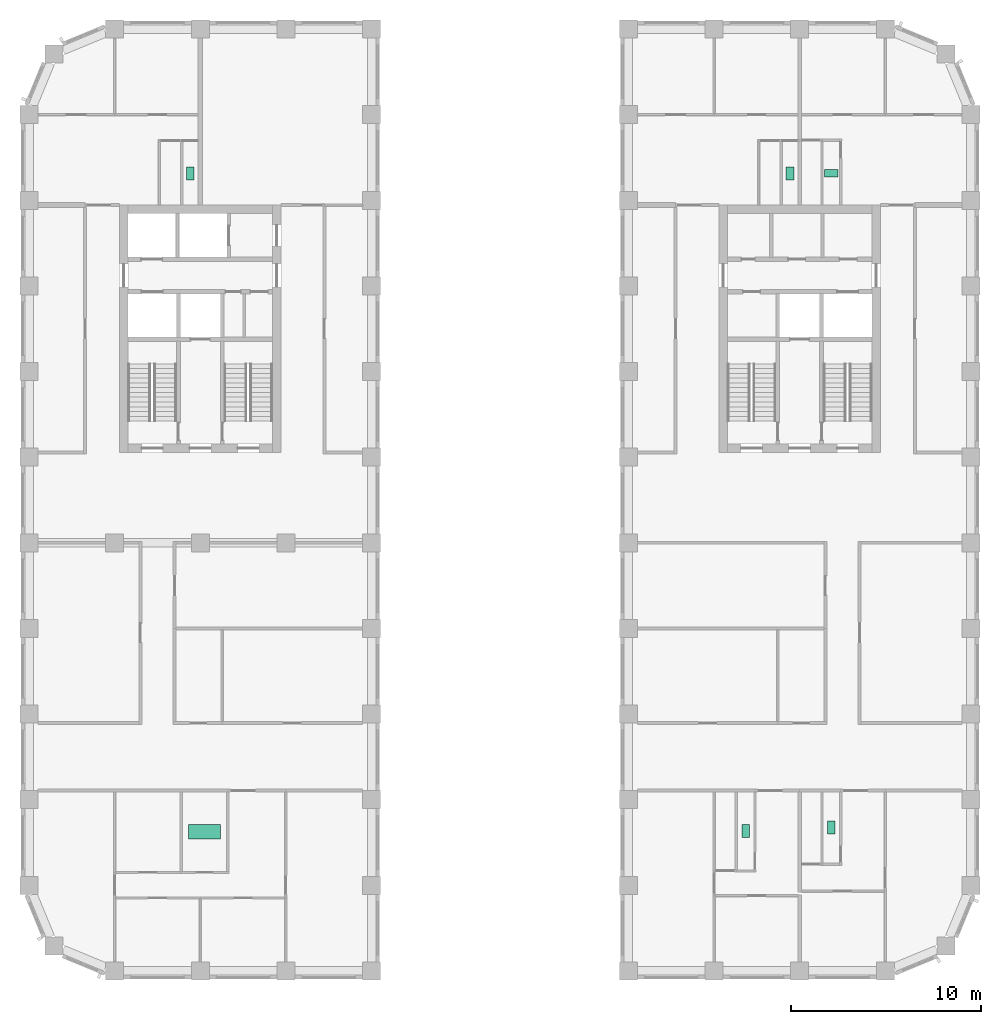
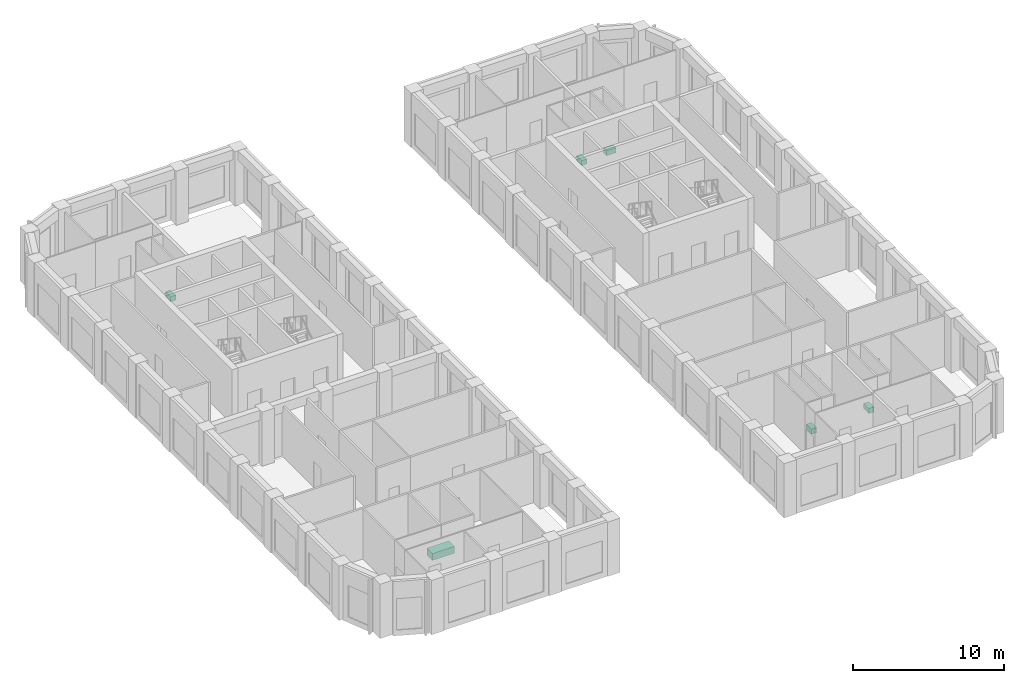
# One storey, part 12 of 12: 6 sanitary terminals.
"""IFC4 building model written with IfcOpenShell, lengths in metres."""

from ifc_helpers import new_model, si_unit, direction, frame, origin, origin_2d, place, context, subcontext, project, spatial, rectangle, extrude, material, type_object, element, save


model = new_model("IFC4")

# Units and contexts
model_context = context("Model", 3, precision=1e-05, world=origin(), true_north=direction((0.0, 1.0)))
body_context = subcontext(model_context, "Body", "Model", "MODEL_VIEW")
ifc_project = project(units=[si_unit("LENGTHUNIT", "METRE"), si_unit("AREAUNIT", "SQUARE_METRE"), si_unit("VOLUMEUNIT", "CUBIC_METRE"), si_unit("PLANEANGLEUNIT", "RADIAN"), si_unit("MASSUNIT", "GRAM", prefix="KILO")], contexts=[model_context])

# Site, building, storey
site_placement = place(None, origin())
site = spatial("IfcSite", under=ifc_project, at=site_placement, CompositionType="ELEMENT")
building_placement = place(site_placement, origin())
building = spatial("IfcBuilding", under=site, at=building_placement, Name="Girih Gate Residences", CompositionType="ELEMENT")
storey_placement = place(building_placement, frame((0.0, 0.0, 155.0)))
storey = spatial("IfcBuildingStorey", under=building, at=storey_placement, Name="L43", CompositionType="ELEMENT", Elevation=155.0)

# Sanitary terminals
ifc_material_1 = material(Name="Acrylic")
sanitary_terminal_type_1 = type_object("IfcSanitaryTerminalType", Name="Bath 1700", PredefinedType="BATH", material=ifc_material_1)
sanitary_terminal_1_placement = place(storey_placement, frame((9.222900390625, 7.319091796875, 0.0), z_axis=(0.0, 0.0, 1.0), x_axis=(1.0, 0.0, 0.0)))
element("IfcSanitaryTerminal", 1, at=sanitary_terminal_1_placement, inside=storey, type_object=sanitary_terminal_type_1, Name="Bath 1700 L43", PredefinedType="BATH", context=body_context, shape_type="SweptSolid", body=[
    extrude(rectangle(XDim=1.699951171875, YDim=0.75, at=origin_2d()), origin(), (0.0, 0.0, 1.0), 0.550048828125),
])
ifc_material_2 = material(Name="Vitreous china")
sanitary_terminal_type_2 = type_object("IfcSanitaryTerminalType", Name="WC pan", PredefinedType="TOILETPAN", material=ifc_material_2)
for number, where, z_axis, x_axis, name in (
    (2, (8.47998046875, 41.904052734375, 0.0), (0.0, 0.0, 1.0), (1.0, 0.0, 0.0), "WC pan L43"),
    (3, (42.162109375, 7.5390625, 0.0), (0.0, 0.0, 1.0), (1.0, 0.0, 0.0), "WC pan L43"),
    (4, (37.662109375, 7.35888671875, 0.0), (0.0, 0.0, 1.0), (1.0, 0.0, 0.0), "WC pan L43"),
):
    element("IfcSanitaryTerminal", number, at=place(storey_placement, frame(where, z_axis=z_axis, x_axis=x_axis)), inside=storey, type_object=sanitary_terminal_type_2, Name=name, PredefinedType="TOILETPAN", context=body_context, shape_type="SweptSolid", body=[
        extrude(rectangle(XDim=0.39990234375, YDim=0.699951171875, at=origin_2d()), origin(), (0.0, 0.0, 1.0), 0.39990234375),
    ])
sanitary_terminal_2_placement = place(storey_placement, frame((42.162109375, 41.924072265625, 0.0), z_axis=(0.0, 0.0, 1.0), x_axis=(1.0, 0.0, 0.0)))
element("IfcSanitaryTerminal", 5, at=sanitary_terminal_2_placement, inside=storey, type_object=sanitary_terminal_type_2, Name="WC pan L43", PredefinedType="TOILETPAN", context=body_context, shape_type="SweptSolid", body=[
    extrude(rectangle(XDim=0.699951171875, YDim=0.39990234375, at=origin_2d()), origin(), (0.0, 0.0, 1.0), 0.39990234375),
])
sanitary_terminal_3_placement = place(storey_placement, frame((39.992919921875, 41.904052734375, 0.0), z_axis=(0.0, 0.0, 1.0), x_axis=(1.0, 0.0, 0.0)))
element("IfcSanitaryTerminal", 6, at=sanitary_terminal_3_placement, inside=storey, type_object=sanitary_terminal_type_2, Name="WC pan L43", PredefinedType="TOILETPAN", context=body_context, shape_type="SweptSolid", body=[
    extrude(rectangle(XDim=0.39990234375, YDim=0.699951171875, at=origin_2d()), origin(), (0.0, 0.0, 1.0), 0.39990234375),
])

save(model, "model.ifc")
